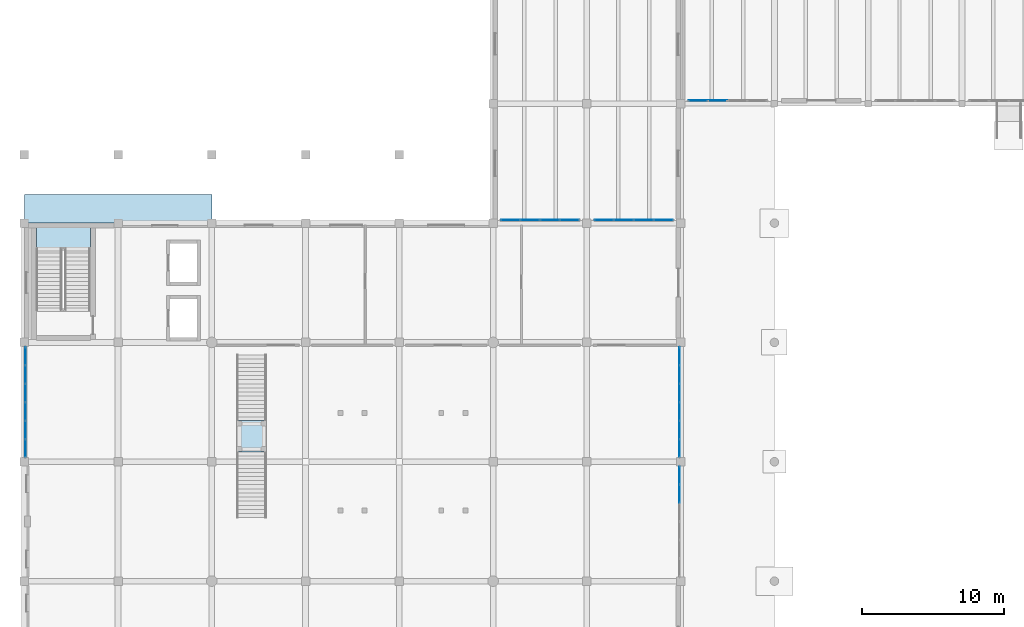
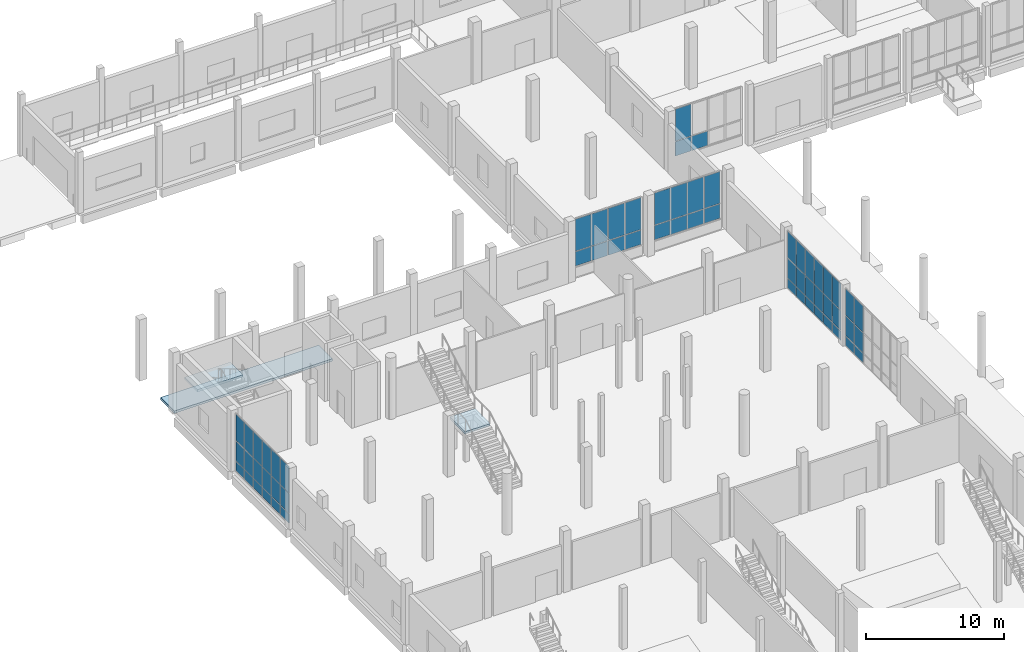
# One storey, part 30 of 64: 61 plates, 3 slabs, 8 elements without a shape of their own.
"""IFC4 building model written with IfcOpenShell, lengths in metres."""

from ifc_helpers import new_model, si_unit, direction, frame, origin, origin_2d, place, context, subcontext, project, spatial, polyline, rectangle, outline, extrude, material, layer, layer_set, type_object, element, aggregate, save


model = new_model("IFC4")

# Units and contexts
model_context = context("Model", 3, precision=1e-05, world=origin(), true_north=direction((0.0, 1.0)))
body_context = subcontext(model_context, "Body", "Model", "MODEL_VIEW")
ifc_project = project(units=[si_unit("LENGTHUNIT", "METRE"), si_unit("AREAUNIT", "SQUARE_METRE"), si_unit("VOLUMEUNIT", "CUBIC_METRE"), si_unit("PLANEANGLEUNIT", "RADIAN"), si_unit("MASSUNIT", "GRAM", prefix="KILO")], contexts=[model_context])

# Site, building, storey
site_placement = place(None, origin())
site = spatial("IfcSite", under=ifc_project, at=site_placement, CompositionType="ELEMENT")
building_placement = place(site_placement, origin())
building = spatial("IfcBuilding", under=site, at=building_placement, Name="Qaldarim Faculty of Natural and Applied Sciences", CompositionType="ELEMENT")
storey_placement = place(building_placement, origin())
storey = spatial("IfcBuildingStorey", under=building, at=storey_placement, Name="L00", CompositionType="ELEMENT", Elevation=0.0)

# Slab
ifc_material_1 = material(Name="Concrete C40/50", Category="concrete")
ifc_layer_1 = layer(ifc_material_1, 0.199951171875)
ifc_layer_set_1 = layer_set([ifc_layer_1], Name="Concrete C40/50")
slab_type_1 = type_object("IfcSlabType", Name="ColonnadeDeckSlab-200", PredefinedType="FLOOR", material=ifc_layer_set_1)
slab_1_placement = place(storey_placement, frame((0.0, 0.0, -0.199951171875)))
element("IfcSlab", 1, at=slab_1_placement, inside=storey, type_object=slab_type_1, Name="Core D north exit walkway L00", PredefinedType="FLOOR", context=body_context, shape_type="SweptSolid", body=[
    extrude(outline(polyline([(0.0, 86.0), (13.199951171875, 86.0), (13.199951171875, 84.0), (0.0, 84.0), (0.0, 86.0)])), origin(), (0.0, 0.0, 1.0), 0.199951171875),
])

# Stair, slab
stair_type_1 = type_object("IfcStairType", Name="DoglegStair-W1800-H5400-32R", PredefinedType="HALF_TURN_STAIR", material=ifc_material_1)
stair_1_placement = place(storey_placement, origin())
stair_1 = element("IfcStair", 2, at=stair_1_placement, inside=storey, type_object=stair_type_1, Name="Enclosed exit stair ST-D2 L00", PredefinedType="HALF_TURN_STAIR")
ifc_layer_2 = layer(ifc_material_1, 0.2099609375)
ifc_layer_set_2 = layer_set([ifc_layer_2], Name="Concrete C40/50")
slab_type_2 = type_object("IfcSlabType", Name="StairLandingSlab-210", PredefinedType="LANDING", material=ifc_layer_set_2)
slab_2_placement = place(storey_placement, frame((0.0, 0.0, 2.489990234375)))
slab_2 = element("IfcSlab", 3, at=slab_2_placement, type_object=slab_type_2, Name="ST-D2 L00 half-landing 1", PredefinedType="LANDING", context=body_context, shape_type="SweptSolid", body=[
    extrude(outline(polyline([(4.64990234375, 82.159912109375), (4.64990234375, 84.0), (0.85009765625, 84.0), (0.85009765625, 82.159912109375), (4.64990234375, 82.159912109375)])), origin(), (0.0, 0.0, 1.0), 0.2099609375),
])
aggregate(stair_1, [slab_2])

stair_type_2 = type_object("IfcStairType", Name="FeatureStraightStair-W2100-H5400", PredefinedType="STRAIGHT_RUN_STAIR", material=ifc_material_1)
stair_2_placement = place(storey_placement, origin())
stair_2 = element("IfcStair", 4, at=stair_2_placement, inside=storey, type_object=stair_type_2, Name="Atrium monumental stair L00", PredefinedType="STRAIGHT_RUN_STAIR")
slab_3_placement = place(storey_placement, frame((0.0, 0.0, 2.489990234375)))
slab_3 = element("IfcSlab", 5, at=slab_3_placement, type_object=slab_type_2, Name="Atrium monumental stair L00 intermediate landing", PredefinedType="LANDING", context=body_context, shape_type="SweptSolid", body=[
    extrude(outline(polyline([(14.949951171875, 67.889892578125), (17.050048828125, 67.889892578125), (17.050048828125, 70.090087890625), (14.949951171875, 70.090087890625), (14.949951171875, 67.889892578125)])), origin(), (0.0, 0.0, 1.0), 0.2099609375),
])
aggregate(stair_2, [slab_3])

# Curtain wall, plates
ifc_material_2 = material(Name="Anodised aluminium AW-6063", Category="aluminium")
curtain_wall_type_1 = type_object("IfcCurtainWallType", Name="CurtainWallSystem-M1300", PredefinedType="USERDEFINED", material=ifc_material_2)
curtain_wall_1_placement = place(storey_placement, origin())
curtain_wall_1 = element("IfcCurtainWall", 6, at=curtain_wall_1_placement, inside=storey, type_object=curtain_wall_type_1, Name="Curtain wall CW-L00-W-X01Y09", ObjectType="STICK CURTAIN WALL", PredefinedType="USERDEFINED")
ifc_material_3 = material(Name="Insulated low-e double glazing", Category="glass")
ifc_layer_3 = layer(ifc_material_3, 0.028076171875)
ifc_layer_set_3 = layer_set([ifc_layer_3], Name="Insulated low-e double glazing")
plate_type = type_object("IfcPlateType", Name="VisionGlazingPanel-28", PredefinedType="CURTAIN_PANEL", material=ifc_layer_set_3)
plate_1_placement = place(storey_placement, frame((0.080078125, 74.63916015625, 0.06005859375), z_axis=(0.0, 0.0, 1.0), x_axis=(0.0, -1.0, 0.0)))
plate_1 = element("IfcPlate", 7, at=plate_1_placement, type_object=plate_type, Name="Glazed panel 1-1 of CW-L00-W-X01Y09", PredefinedType="CURTAIN_PANEL", context=body_context, shape_type="SweptSolid", body=[
    extrude(rectangle(XDim=1.211669921875, YDim=0.028076171875, at=origin_2d()), origin(), (0.0, 0.0, 1.0), 0.81005859375),
])
plate_2_placement = place(storey_placement, frame((0.080078125, 74.63916015625, 0.93017578125), z_axis=(0.0, 0.0, 1.0), x_axis=(0.0, -1.0, 0.0)))
plate_2 = element("IfcPlate", 8, at=plate_2_placement, type_object=plate_type, Name="Glazed panel 1-2 of CW-L00-W-X01Y09", PredefinedType="CURTAIN_PANEL", context=body_context, shape_type="SweptSolid", body=[
    extrude(rectangle(XDim=1.211669921875, YDim=0.028076171875, at=origin_2d()), origin(), (0.0, 0.0, 1.0), 1.739990234375),
])
plate_3_placement = place(storey_placement, frame((0.080078125, 74.63916015625, 2.72998046875), z_axis=(0.0, 0.0, 1.0), x_axis=(0.0, -1.0, 0.0)))
plate_3 = element("IfcPlate", 9, at=plate_3_placement, type_object=plate_type, Name="Glazed panel 1-3 of CW-L00-W-X01Y09", PredefinedType="CURTAIN_PANEL", context=body_context, shape_type="SweptSolid", body=[
    extrude(rectangle(XDim=1.211669921875, YDim=0.028076171875, at=origin_2d()), origin(), (0.0, 0.0, 1.0), 2.31005859375),
])
plate_4_placement = place(storey_placement, frame((0.080078125, 73.3525390625, 0.06005859375), z_axis=(0.0, 0.0, 1.0), x_axis=(0.0, -1.0, 0.0)))
plate_4 = element("IfcPlate", 10, at=plate_4_placement, type_object=plate_type, Name="Glazed panel 2-1 of CW-L00-W-X01Y09", PredefinedType="CURTAIN_PANEL", context=body_context, shape_type="SweptSolid", body=[
    extrude(rectangle(XDim=1.24169921875, YDim=0.028076171875, at=origin_2d()), origin(), (0.0, 0.0, 1.0), 0.81005859375),
])
plate_5_placement = place(storey_placement, frame((0.080078125, 73.3525390625, 0.93017578125), z_axis=(0.0, 0.0, 1.0), x_axis=(0.0, -1.0, 0.0)))
plate_5 = element("IfcPlate", 11, at=plate_5_placement, type_object=plate_type, Name="Glazed panel 2-2 of CW-L00-W-X01Y09", PredefinedType="CURTAIN_PANEL", context=body_context, shape_type="SweptSolid", body=[
    extrude(rectangle(XDim=1.24169921875, YDim=0.028076171875, at=origin_2d()), origin(), (0.0, 0.0, 1.0), 1.739990234375),
])
plate_6_placement = place(storey_placement, frame((0.080078125, 73.3525390625, 2.72998046875), z_axis=(0.0, 0.0, 1.0), x_axis=(0.0, -1.0, 0.0)))
plate_6 = element("IfcPlate", 12, at=plate_6_placement, type_object=plate_type, Name="Glazed panel 2-3 of CW-L00-W-X01Y09", PredefinedType="CURTAIN_PANEL", context=body_context, shape_type="SweptSolid", body=[
    extrude(rectangle(XDim=1.24169921875, YDim=0.028076171875, at=origin_2d()), origin(), (0.0, 0.0, 1.0), 2.31005859375),
])
plate_7_placement = place(storey_placement, frame((0.080078125, 72.05078125, 0.06005859375), z_axis=(0.0, 0.0, 1.0), x_axis=(0.0, -1.0, 0.0)))
plate_7 = element("IfcPlate", 13, at=plate_7_placement, type_object=plate_type, Name="Glazed panel 3-1 of CW-L00-W-X01Y09", PredefinedType="CURTAIN_PANEL", context=body_context, shape_type="SweptSolid", body=[
    extrude(rectangle(XDim=1.24169921875, YDim=0.028076171875, at=origin_2d()), origin(), (0.0, 0.0, 1.0), 0.81005859375),
])
plate_8_placement = place(storey_placement, frame((0.080078125, 72.05078125, 0.93017578125), z_axis=(0.0, 0.0, 1.0), x_axis=(0.0, -1.0, 0.0)))
plate_8 = element("IfcPlate", 14, at=plate_8_placement, type_object=plate_type, Name="Glazed panel 3-2 of CW-L00-W-X01Y09", PredefinedType="CURTAIN_PANEL", context=body_context, shape_type="SweptSolid", body=[
    extrude(rectangle(XDim=1.24169921875, YDim=0.028076171875, at=origin_2d()), origin(), (0.0, 0.0, 1.0), 1.739990234375),
])
plate_9_placement = place(storey_placement, frame((0.080078125, 72.05078125, 2.72998046875), z_axis=(0.0, 0.0, 1.0), x_axis=(0.0, -1.0, 0.0)))
plate_9 = element("IfcPlate", 15, at=plate_9_placement, type_object=plate_type, Name="Glazed panel 3-3 of CW-L00-W-X01Y09", PredefinedType="CURTAIN_PANEL", context=body_context, shape_type="SweptSolid", body=[
    extrude(rectangle(XDim=1.24169921875, YDim=0.028076171875, at=origin_2d()), origin(), (0.0, 0.0, 1.0), 2.31005859375),
])
plate_10_placement = place(storey_placement, frame((0.080078125, 70.749267578125, 0.06005859375), z_axis=(0.0, 0.0, 1.0), x_axis=(0.0, -1.0, 0.0)))
plate_10 = element("IfcPlate", 16, at=plate_10_placement, type_object=plate_type, Name="Glazed panel 4-1 of CW-L00-W-X01Y09", PredefinedType="CURTAIN_PANEL", context=body_context, shape_type="SweptSolid", body=[
    extrude(rectangle(XDim=1.24169921875, YDim=0.028076171875, at=origin_2d()), origin(), (0.0, 0.0, 1.0), 0.81005859375),
])
plate_11_placement = place(storey_placement, frame((0.080078125, 70.749267578125, 0.93017578125), z_axis=(0.0, 0.0, 1.0), x_axis=(0.0, -1.0, 0.0)))
plate_11 = element("IfcPlate", 17, at=plate_11_placement, type_object=plate_type, Name="Glazed panel 4-2 of CW-L00-W-X01Y09", PredefinedType="CURTAIN_PANEL", context=body_context, shape_type="SweptSolid", body=[
    extrude(rectangle(XDim=1.24169921875, YDim=0.028076171875, at=origin_2d()), origin(), (0.0, 0.0, 1.0), 1.739990234375),
])
plate_12_placement = place(storey_placement, frame((0.080078125, 70.749267578125, 2.72998046875), z_axis=(0.0, 0.0, 1.0), x_axis=(0.0, -1.0, 0.0)))
plate_12 = element("IfcPlate", 18, at=plate_12_placement, type_object=plate_type, Name="Glazed panel 4-3 of CW-L00-W-X01Y09", PredefinedType="CURTAIN_PANEL", context=body_context, shape_type="SweptSolid", body=[
    extrude(rectangle(XDim=1.24169921875, YDim=0.028076171875, at=origin_2d()), origin(), (0.0, 0.0, 1.0), 2.31005859375),
])
plate_13_placement = place(storey_placement, frame((0.080078125, 69.447509765625, 0.06005859375), z_axis=(0.0, 0.0, 1.0), x_axis=(0.0, -1.0, 0.0)))
plate_13 = element("IfcPlate", 19, at=plate_13_placement, type_object=plate_type, Name="Glazed panel 5-1 of CW-L00-W-X01Y09", PredefinedType="CURTAIN_PANEL", context=body_context, shape_type="SweptSolid", body=[
    extrude(rectangle(XDim=1.24169921875, YDim=0.028076171875, at=origin_2d()), origin(), (0.0, 0.0, 1.0), 0.81005859375),
])
plate_14_placement = place(storey_placement, frame((0.080078125, 69.447509765625, 0.93017578125), z_axis=(0.0, 0.0, 1.0), x_axis=(0.0, -1.0, 0.0)))
plate_14 = element("IfcPlate", 20, at=plate_14_placement, type_object=plate_type, Name="Glazed panel 5-2 of CW-L00-W-X01Y09", PredefinedType="CURTAIN_PANEL", context=body_context, shape_type="SweptSolid", body=[
    extrude(rectangle(XDim=1.24169921875, YDim=0.028076171875, at=origin_2d()), origin(), (0.0, 0.0, 1.0), 1.739990234375),
])
plate_15_placement = place(storey_placement, frame((0.080078125, 69.447509765625, 2.72998046875), z_axis=(0.0, 0.0, 1.0), x_axis=(0.0, -1.0, 0.0)))
plate_15 = element("IfcPlate", 21, at=plate_15_placement, type_object=plate_type, Name="Glazed panel 5-3 of CW-L00-W-X01Y09", PredefinedType="CURTAIN_PANEL", context=body_context, shape_type="SweptSolid", body=[
    extrude(rectangle(XDim=1.24169921875, YDim=0.028076171875, at=origin_2d()), origin(), (0.0, 0.0, 1.0), 2.31005859375),
])
plate_16_placement = place(storey_placement, frame((0.080078125, 68.160888671875, 0.06005859375), z_axis=(0.0, 0.0, 1.0), x_axis=(0.0, -1.0, 0.0)))
plate_16 = element("IfcPlate", 22, at=plate_16_placement, type_object=plate_type, Name="Glazed panel 6-1 of CW-L00-W-X01Y09", PredefinedType="CURTAIN_PANEL", context=body_context, shape_type="SweptSolid", body=[
    extrude(rectangle(XDim=1.211669921875, YDim=0.028076171875, at=origin_2d()), origin(), (0.0, 0.0, 1.0), 0.81005859375),
])
plate_17_placement = place(storey_placement, frame((0.080078125, 68.160888671875, 0.93017578125), z_axis=(0.0, 0.0, 1.0), x_axis=(0.0, -1.0, 0.0)))
plate_17 = element("IfcPlate", 23, at=plate_17_placement, type_object=plate_type, Name="Glazed panel 6-2 of CW-L00-W-X01Y09", PredefinedType="CURTAIN_PANEL", context=body_context, shape_type="SweptSolid", body=[
    extrude(rectangle(XDim=1.211669921875, YDim=0.028076171875, at=origin_2d()), origin(), (0.0, 0.0, 1.0), 1.739990234375),
])
plate_18_placement = place(storey_placement, frame((0.080078125, 68.160888671875, 2.72998046875), z_axis=(0.0, 0.0, 1.0), x_axis=(0.0, -1.0, 0.0)))
plate_18 = element("IfcPlate", 24, at=plate_18_placement, type_object=plate_type, Name="Glazed panel 6-3 of CW-L00-W-X01Y09", PredefinedType="CURTAIN_PANEL", context=body_context, shape_type="SweptSolid", body=[
    extrude(rectangle(XDim=1.211669921875, YDim=0.028076171875, at=origin_2d()), origin(), (0.0, 0.0, 1.0), 2.31005859375),
])
aggregate(curtain_wall_1, [plate_1, plate_2, plate_3, plate_4, plate_5, plate_6, plate_7, plate_8, plate_9, plate_10, plate_11, plate_12, plate_13, plate_14, plate_15, plate_16, plate_17, plate_18])

curtain_wall_2_placement = place(storey_placement, origin())
curtain_wall_2 = element("IfcCurtainWall", 25, at=curtain_wall_2_placement, inside=storey, type_object=curtain_wall_type_1, Name="Curtain wall CW-L00-E-X07Y08", ObjectType="STICK CURTAIN WALL", PredefinedType="USERDEFINED")
plate_19_placement = place(storey_placement, frame((46.1201171875, 64.952392578125, 0.06005859375), z_axis=(0.0, 0.0, 1.0), x_axis=(0.0, 1.0, 0.0)))
plate_19 = element("IfcPlate", 26, at=plate_19_placement, type_object=plate_type, Name="Glazed panel 5-1 of CW-L00-E-X07Y08", PredefinedType="CURTAIN_PANEL", context=body_context, shape_type="SweptSolid", body=[
    extrude(rectangle(XDim=1.24169921875, YDim=0.028076171875, at=origin_2d()), origin(), (0.0, 0.0, 1.0), 0.81005859375),
])
plate_20_placement = place(storey_placement, frame((46.1201171875, 64.952392578125, 0.93017578125), z_axis=(0.0, 0.0, 1.0), x_axis=(0.0, 1.0, 0.0)))
plate_20 = element("IfcPlate", 27, at=plate_20_placement, type_object=plate_type, Name="Glazed panel 5-2 of CW-L00-E-X07Y08", PredefinedType="CURTAIN_PANEL", context=body_context, shape_type="SweptSolid", body=[
    extrude(rectangle(XDim=1.24169921875, YDim=0.028076171875, at=origin_2d()), origin(), (0.0, 0.0, 1.0), 1.739990234375),
])
plate_21_placement = place(storey_placement, frame((46.1201171875, 64.952392578125, 2.72998046875), z_axis=(0.0, 0.0, 1.0), x_axis=(0.0, 1.0, 0.0)))
plate_21 = element("IfcPlate", 28, at=plate_21_placement, type_object=plate_type, Name="Glazed panel 5-3 of CW-L00-E-X07Y08", PredefinedType="CURTAIN_PANEL", context=body_context, shape_type="SweptSolid", body=[
    extrude(rectangle(XDim=1.24169921875, YDim=0.028076171875, at=origin_2d()), origin(), (0.0, 0.0, 1.0), 2.31005859375),
])
plate_22_placement = place(storey_placement, frame((46.1201171875, 66.2392578125, 0.06005859375), z_axis=(0.0, 0.0, 1.0), x_axis=(0.0, 1.0, 0.0)))
plate_22 = element("IfcPlate", 29, at=plate_22_placement, type_object=plate_type, Name="Glazed panel 6-1 of CW-L00-E-X07Y08", PredefinedType="CURTAIN_PANEL", context=body_context, shape_type="SweptSolid", body=[
    extrude(rectangle(XDim=1.211669921875, YDim=0.028076171875, at=origin_2d()), origin(), (0.0, 0.0, 1.0), 0.81005859375),
])
plate_23_placement = place(storey_placement, frame((46.1201171875, 66.2392578125, 0.93017578125), z_axis=(0.0, 0.0, 1.0), x_axis=(0.0, 1.0, 0.0)))
plate_23 = element("IfcPlate", 30, at=plate_23_placement, type_object=plate_type, Name="Glazed panel 6-2 of CW-L00-E-X07Y08", PredefinedType="CURTAIN_PANEL", context=body_context, shape_type="SweptSolid", body=[
    extrude(rectangle(XDim=1.211669921875, YDim=0.028076171875, at=origin_2d()), origin(), (0.0, 0.0, 1.0), 1.739990234375),
])
plate_24_placement = place(storey_placement, frame((46.1201171875, 66.2392578125, 2.72998046875), z_axis=(0.0, 0.0, 1.0), x_axis=(0.0, 1.0, 0.0)))
plate_24 = element("IfcPlate", 31, at=plate_24_placement, type_object=plate_type, Name="Glazed panel 6-3 of CW-L00-E-X07Y08", PredefinedType="CURTAIN_PANEL", context=body_context, shape_type="SweptSolid", body=[
    extrude(rectangle(XDim=1.211669921875, YDim=0.028076171875, at=origin_2d()), origin(), (0.0, 0.0, 1.0), 2.31005859375),
])
aggregate(curtain_wall_2, [plate_19, plate_20, plate_21, plate_22, plate_23, plate_24])

curtain_wall_3_placement = place(storey_placement, origin())
curtain_wall_3 = element("IfcCurtainWall", 32, at=curtain_wall_3_placement, inside=storey, type_object=curtain_wall_type_1, Name="Curtain wall CW-L00-E-X07Y09", ObjectType="STICK CURTAIN WALL", PredefinedType="USERDEFINED")
plate_25_placement = place(storey_placement, frame((46.1201171875, 68.160888671875, 0.06005859375), z_axis=(0.0, 0.0, 1.0), x_axis=(0.0, 1.0, 0.0)))
plate_25 = element("IfcPlate", 33, at=plate_25_placement, type_object=plate_type, Name="Glazed panel 1-1 of CW-L00-E-X07Y09", PredefinedType="CURTAIN_PANEL", context=body_context, shape_type="SweptSolid", body=[
    extrude(rectangle(XDim=1.211669921875, YDim=0.028076171875, at=origin_2d()), origin(), (0.0, 0.0, 1.0), 0.81005859375),
])
plate_26_placement = place(storey_placement, frame((46.1201171875, 68.160888671875, 0.93017578125), z_axis=(0.0, 0.0, 1.0), x_axis=(0.0, 1.0, 0.0)))
plate_26 = element("IfcPlate", 34, at=plate_26_placement, type_object=plate_type, Name="Glazed panel 1-2 of CW-L00-E-X07Y09", PredefinedType="CURTAIN_PANEL", context=body_context, shape_type="SweptSolid", body=[
    extrude(rectangle(XDim=1.211669921875, YDim=0.028076171875, at=origin_2d()), origin(), (0.0, 0.0, 1.0), 1.739990234375),
])
plate_27_placement = place(storey_placement, frame((46.1201171875, 68.160888671875, 2.72998046875), z_axis=(0.0, 0.0, 1.0), x_axis=(0.0, 1.0, 0.0)))
plate_27 = element("IfcPlate", 35, at=plate_27_placement, type_object=plate_type, Name="Glazed panel 1-3 of CW-L00-E-X07Y09", PredefinedType="CURTAIN_PANEL", context=body_context, shape_type="SweptSolid", body=[
    extrude(rectangle(XDim=1.211669921875, YDim=0.028076171875, at=origin_2d()), origin(), (0.0, 0.0, 1.0), 2.31005859375),
])
plate_28_placement = place(storey_placement, frame((46.1201171875, 69.447509765625, 0.06005859375), z_axis=(0.0, 0.0, 1.0), x_axis=(0.0, 1.0, 0.0)))
plate_28 = element("IfcPlate", 36, at=plate_28_placement, type_object=plate_type, Name="Glazed panel 2-1 of CW-L00-E-X07Y09", PredefinedType="CURTAIN_PANEL", context=body_context, shape_type="SweptSolid", body=[
    extrude(rectangle(XDim=1.24169921875, YDim=0.028076171875, at=origin_2d()), origin(), (0.0, 0.0, 1.0), 0.81005859375),
])
plate_29_placement = place(storey_placement, frame((46.1201171875, 69.447509765625, 0.93017578125), z_axis=(0.0, 0.0, 1.0), x_axis=(0.0, 1.0, 0.0)))
plate_29 = element("IfcPlate", 37, at=plate_29_placement, type_object=plate_type, Name="Glazed panel 2-2 of CW-L00-E-X07Y09", PredefinedType="CURTAIN_PANEL", context=body_context, shape_type="SweptSolid", body=[
    extrude(rectangle(XDim=1.24169921875, YDim=0.028076171875, at=origin_2d()), origin(), (0.0, 0.0, 1.0), 1.739990234375),
])
plate_30_placement = place(storey_placement, frame((46.1201171875, 69.447509765625, 2.72998046875), z_axis=(0.0, 0.0, 1.0), x_axis=(0.0, 1.0, 0.0)))
plate_30 = element("IfcPlate", 38, at=plate_30_placement, type_object=plate_type, Name="Glazed panel 2-3 of CW-L00-E-X07Y09", PredefinedType="CURTAIN_PANEL", context=body_context, shape_type="SweptSolid", body=[
    extrude(rectangle(XDim=1.24169921875, YDim=0.028076171875, at=origin_2d()), origin(), (0.0, 0.0, 1.0), 2.31005859375),
])
plate_31_placement = place(storey_placement, frame((46.1201171875, 70.749267578125, 0.06005859375), z_axis=(0.0, 0.0, 1.0), x_axis=(0.0, 1.0, 0.0)))
plate_31 = element("IfcPlate", 39, at=plate_31_placement, type_object=plate_type, Name="Glazed panel 3-1 of CW-L00-E-X07Y09", PredefinedType="CURTAIN_PANEL", context=body_context, shape_type="SweptSolid", body=[
    extrude(rectangle(XDim=1.24169921875, YDim=0.028076171875, at=origin_2d()), origin(), (0.0, 0.0, 1.0), 0.81005859375),
])
plate_32_placement = place(storey_placement, frame((46.1201171875, 70.749267578125, 0.93017578125), z_axis=(0.0, 0.0, 1.0), x_axis=(0.0, 1.0, 0.0)))
plate_32 = element("IfcPlate", 40, at=plate_32_placement, type_object=plate_type, Name="Glazed panel 3-2 of CW-L00-E-X07Y09", PredefinedType="CURTAIN_PANEL", context=body_context, shape_type="SweptSolid", body=[
    extrude(rectangle(XDim=1.24169921875, YDim=0.028076171875, at=origin_2d()), origin(), (0.0, 0.0, 1.0), 1.739990234375),
])
plate_33_placement = place(storey_placement, frame((46.1201171875, 70.749267578125, 2.72998046875), z_axis=(0.0, 0.0, 1.0), x_axis=(0.0, 1.0, 0.0)))
plate_33 = element("IfcPlate", 41, at=plate_33_placement, type_object=plate_type, Name="Glazed panel 3-3 of CW-L00-E-X07Y09", PredefinedType="CURTAIN_PANEL", context=body_context, shape_type="SweptSolid", body=[
    extrude(rectangle(XDim=1.24169921875, YDim=0.028076171875, at=origin_2d()), origin(), (0.0, 0.0, 1.0), 2.31005859375),
])
plate_34_placement = place(storey_placement, frame((46.1201171875, 72.05078125, 0.06005859375), z_axis=(0.0, 0.0, 1.0), x_axis=(0.0, 1.0, 0.0)))
plate_34 = element("IfcPlate", 42, at=plate_34_placement, type_object=plate_type, Name="Glazed panel 4-1 of CW-L00-E-X07Y09", PredefinedType="CURTAIN_PANEL", context=body_context, shape_type="SweptSolid", body=[
    extrude(rectangle(XDim=1.24169921875, YDim=0.028076171875, at=origin_2d()), origin(), (0.0, 0.0, 1.0), 0.81005859375),
])
plate_35_placement = place(storey_placement, frame((46.1201171875, 72.05078125, 0.93017578125), z_axis=(0.0, 0.0, 1.0), x_axis=(0.0, 1.0, 0.0)))
plate_35 = element("IfcPlate", 43, at=plate_35_placement, type_object=plate_type, Name="Glazed panel 4-2 of CW-L00-E-X07Y09", PredefinedType="CURTAIN_PANEL", context=body_context, shape_type="SweptSolid", body=[
    extrude(rectangle(XDim=1.24169921875, YDim=0.028076171875, at=origin_2d()), origin(), (0.0, 0.0, 1.0), 1.739990234375),
])
plate_36_placement = place(storey_placement, frame((46.1201171875, 72.05078125, 2.72998046875), z_axis=(0.0, 0.0, 1.0), x_axis=(0.0, 1.0, 0.0)))
plate_36 = element("IfcPlate", 44, at=plate_36_placement, type_object=plate_type, Name="Glazed panel 4-3 of CW-L00-E-X07Y09", PredefinedType="CURTAIN_PANEL", context=body_context, shape_type="SweptSolid", body=[
    extrude(rectangle(XDim=1.24169921875, YDim=0.028076171875, at=origin_2d()), origin(), (0.0, 0.0, 1.0), 2.31005859375),
])
plate_37_placement = place(storey_placement, frame((46.1201171875, 73.3525390625, 0.06005859375), z_axis=(0.0, 0.0, 1.0), x_axis=(0.0, 1.0, 0.0)))
plate_37 = element("IfcPlate", 45, at=plate_37_placement, type_object=plate_type, Name="Glazed panel 5-1 of CW-L00-E-X07Y09", PredefinedType="CURTAIN_PANEL", context=body_context, shape_type="SweptSolid", body=[
    extrude(rectangle(XDim=1.24169921875, YDim=0.028076171875, at=origin_2d()), origin(), (0.0, 0.0, 1.0), 0.81005859375),
])
plate_38_placement = place(storey_placement, frame((46.1201171875, 73.3525390625, 0.93017578125), z_axis=(0.0, 0.0, 1.0), x_axis=(0.0, 1.0, 0.0)))
plate_38 = element("IfcPlate", 46, at=plate_38_placement, type_object=plate_type, Name="Glazed panel 5-2 of CW-L00-E-X07Y09", PredefinedType="CURTAIN_PANEL", context=body_context, shape_type="SweptSolid", body=[
    extrude(rectangle(XDim=1.24169921875, YDim=0.028076171875, at=origin_2d()), origin(), (0.0, 0.0, 1.0), 1.739990234375),
])
plate_39_placement = place(storey_placement, frame((46.1201171875, 73.3525390625, 2.72998046875), z_axis=(0.0, 0.0, 1.0), x_axis=(0.0, 1.0, 0.0)))
plate_39 = element("IfcPlate", 47, at=plate_39_placement, type_object=plate_type, Name="Glazed panel 5-3 of CW-L00-E-X07Y09", PredefinedType="CURTAIN_PANEL", context=body_context, shape_type="SweptSolid", body=[
    extrude(rectangle(XDim=1.24169921875, YDim=0.028076171875, at=origin_2d()), origin(), (0.0, 0.0, 1.0), 2.31005859375),
])
plate_40_placement = place(storey_placement, frame((46.1201171875, 74.63916015625, 0.06005859375), z_axis=(0.0, 0.0, 1.0), x_axis=(0.0, 1.0, 0.0)))
plate_40 = element("IfcPlate", 48, at=plate_40_placement, type_object=plate_type, Name="Glazed panel 6-1 of CW-L00-E-X07Y09", PredefinedType="CURTAIN_PANEL", context=body_context, shape_type="SweptSolid", body=[
    extrude(rectangle(XDim=1.211669921875, YDim=0.028076171875, at=origin_2d()), origin(), (0.0, 0.0, 1.0), 0.81005859375),
])
plate_41_placement = place(storey_placement, frame((46.1201171875, 74.63916015625, 0.93017578125), z_axis=(0.0, 0.0, 1.0), x_axis=(0.0, 1.0, 0.0)))
plate_41 = element("IfcPlate", 49, at=plate_41_placement, type_object=plate_type, Name="Glazed panel 6-2 of CW-L00-E-X07Y09", PredefinedType="CURTAIN_PANEL", context=body_context, shape_type="SweptSolid", body=[
    extrude(rectangle(XDim=1.211669921875, YDim=0.028076171875, at=origin_2d()), origin(), (0.0, 0.0, 1.0), 1.739990234375),
])
plate_42_placement = place(storey_placement, frame((46.1201171875, 74.63916015625, 2.72998046875), z_axis=(0.0, 0.0, 1.0), x_axis=(0.0, 1.0, 0.0)))
plate_42 = element("IfcPlate", 50, at=plate_42_placement, type_object=plate_type, Name="Glazed panel 6-3 of CW-L00-E-X07Y09", PredefinedType="CURTAIN_PANEL", context=body_context, shape_type="SweptSolid", body=[
    extrude(rectangle(XDim=1.211669921875, YDim=0.028076171875, at=origin_2d()), origin(), (0.0, 0.0, 1.0), 2.31005859375),
])
aggregate(curtain_wall_3, [plate_25, plate_26, plate_27, plate_28, plate_29, plate_30, plate_31, plate_32, plate_33, plate_34, plate_35, plate_36, plate_37, plate_38, plate_39, plate_40, plate_41, plate_42])

curtain_wall_type_2 = type_object("IfcCurtainWallType", Name="CurtainWallSystem-M1400", PredefinedType="USERDEFINED", material=ifc_material_2)
curtain_wall_4_placement = place(storey_placement, origin())
curtain_wall_4 = element("IfcCurtainWall", 51, at=curtain_wall_4_placement, inside=storey, type_object=curtain_wall_type_2, Name="Curtain wall CW-V4RIB-L00-X06", ObjectType="STICK CURTAIN WALL", PredefinedType="USERDEFINED")
plate_43_placement = place(storey_placement, frame((34.215087890625, 84.219970703125, 0.91015625), z_axis=(0.0, 0.0, 1.0), x_axis=(1.0, 0.0, 0.0)))
plate_43 = element("IfcPlate", 52, at=plate_43_placement, type_object=plate_type, Name="Glazed panel 1-1 of CW-V4RIB-L00-X06", PredefinedType="CURTAIN_PANEL", context=body_context, shape_type="SweptSolid", body=[
    extrude(rectangle(XDim=1.31005859375, YDim=0.028076171875, at=origin_2d()), origin(), (0.0, 0.0, 1.0), 1.260009765625),
])
plate_44_placement = place(storey_placement, frame((34.215087890625, 84.219970703125, 2.22998046875), z_axis=(0.0, 0.0, 1.0), x_axis=(1.0, 0.0, 0.0)))
plate_44 = element("IfcPlate", 53, at=plate_44_placement, type_object=plate_type, Name="Glazed panel 1-2 of CW-V4RIB-L00-X06", PredefinedType="CURTAIN_PANEL", context=body_context, shape_type="SweptSolid", body=[
    extrude(rectangle(XDim=1.31005859375, YDim=0.028076171875, at=origin_2d()), origin(), (0.0, 0.0, 1.0), 2.81005859375),
])
plate_45_placement = place(storey_placement, frame((35.60009765625, 84.219970703125, 0.91015625), z_axis=(0.0, 0.0, 1.0), x_axis=(1.0, 0.0, 0.0)))
plate_45 = element("IfcPlate", 54, at=plate_45_placement, type_object=plate_type, Name="Glazed panel 2-1 of CW-V4RIB-L00-X06", PredefinedType="CURTAIN_PANEL", context=body_context, shape_type="SweptSolid", body=[
    extrude(rectangle(XDim=1.340087890625, YDim=0.028076171875, at=origin_2d()), origin(), (0.0, 0.0, 1.0), 1.260009765625),
])
plate_46_placement = place(storey_placement, frame((35.60009765625, 84.219970703125, 2.22998046875), z_axis=(0.0, 0.0, 1.0), x_axis=(1.0, 0.0, 0.0)))
plate_46 = element("IfcPlate", 55, at=plate_46_placement, type_object=plate_type, Name="Glazed panel 2-2 of CW-V4RIB-L00-X06", PredefinedType="CURTAIN_PANEL", context=body_context, shape_type="SweptSolid", body=[
    extrude(rectangle(XDim=1.340087890625, YDim=0.028076171875, at=origin_2d()), origin(), (0.0, 0.0, 1.0), 2.81005859375),
])
plate_47_placement = place(storey_placement, frame((37.0, 84.219970703125, 0.91015625), z_axis=(0.0, 0.0, 1.0), x_axis=(1.0, 0.0, 0.0)))
plate_47 = element("IfcPlate", 56, at=plate_47_placement, type_object=plate_type, Name="Glazed panel 3-1 of CW-V4RIB-L00-X06", PredefinedType="CURTAIN_PANEL", context=body_context, shape_type="SweptSolid", body=[
    extrude(rectangle(XDim=1.340087890625, YDim=0.028076171875, at=origin_2d()), origin(), (0.0, 0.0, 1.0), 1.260009765625),
])
plate_48_placement = place(storey_placement, frame((37.0, 84.219970703125, 2.22998046875), z_axis=(0.0, 0.0, 1.0), x_axis=(1.0, 0.0, 0.0)))
plate_48 = element("IfcPlate", 57, at=plate_48_placement, type_object=plate_type, Name="Glazed panel 3-2 of CW-V4RIB-L00-X06", PredefinedType="CURTAIN_PANEL", context=body_context, shape_type="SweptSolid", body=[
    extrude(rectangle(XDim=1.340087890625, YDim=0.028076171875, at=origin_2d()), origin(), (0.0, 0.0, 1.0), 2.81005859375),
])
plate_49_placement = place(storey_placement, frame((38.385009765625, 84.219970703125, 0.91015625), z_axis=(0.0, 0.0, 1.0), x_axis=(1.0, 0.0, 0.0)))
plate_49 = element("IfcPlate", 58, at=plate_49_placement, type_object=plate_type, Name="Glazed panel 4-1 of CW-V4RIB-L00-X06", PredefinedType="CURTAIN_PANEL", context=body_context, shape_type="SweptSolid", body=[
    extrude(rectangle(XDim=1.31005859375, YDim=0.028076171875, at=origin_2d()), origin(), (0.0, 0.0, 1.0), 1.260009765625),
])
plate_50_placement = place(storey_placement, frame((38.385009765625, 84.219970703125, 2.22998046875), z_axis=(0.0, 0.0, 1.0), x_axis=(1.0, 0.0, 0.0)))
plate_50 = element("IfcPlate", 59, at=plate_50_placement, type_object=plate_type, Name="Glazed panel 4-2 of CW-V4RIB-L00-X06", PredefinedType="CURTAIN_PANEL", context=body_context, shape_type="SweptSolid", body=[
    extrude(rectangle(XDim=1.31005859375, YDim=0.028076171875, at=origin_2d()), origin(), (0.0, 0.0, 1.0), 2.81005859375),
])
aggregate(curtain_wall_4, [plate_43, plate_44, plate_45, plate_46, plate_47, plate_48, plate_49, plate_50])

curtain_wall_5_placement = place(storey_placement, origin())
curtain_wall_5 = element("IfcCurtainWall", 60, at=curtain_wall_5_placement, inside=storey, type_object=curtain_wall_type_2, Name="Curtain wall CW-V4RIB-L00-X07", ObjectType="STICK CURTAIN WALL", PredefinedType="USERDEFINED")
plate_51_placement = place(storey_placement, frame((40.81494140625, 84.219970703125, 0.91015625), z_axis=(0.0, 0.0, 1.0), x_axis=(1.0, 0.0, 0.0)))
plate_51 = element("IfcPlate", 61, at=plate_51_placement, type_object=plate_type, Name="Glazed panel 1-1 of CW-V4RIB-L00-X07", PredefinedType="CURTAIN_PANEL", context=body_context, shape_type="SweptSolid", body=[
    extrude(rectangle(XDim=1.31005859375, YDim=0.028076171875, at=origin_2d()), origin(), (0.0, 0.0, 1.0), 1.260009765625),
])
plate_52_placement = place(storey_placement, frame((40.81494140625, 84.219970703125, 2.22998046875), z_axis=(0.0, 0.0, 1.0), x_axis=(1.0, 0.0, 0.0)))
plate_52 = element("IfcPlate", 62, at=plate_52_placement, type_object=plate_type, Name="Glazed panel 1-2 of CW-V4RIB-L00-X07", PredefinedType="CURTAIN_PANEL", context=body_context, shape_type="SweptSolid", body=[
    extrude(rectangle(XDim=1.31005859375, YDim=0.028076171875, at=origin_2d()), origin(), (0.0, 0.0, 1.0), 2.81005859375),
])
plate_53_placement = place(storey_placement, frame((42.199951171875, 84.219970703125, 0.91015625), z_axis=(0.0, 0.0, 1.0), x_axis=(1.0, 0.0, 0.0)))
plate_53 = element("IfcPlate", 63, at=plate_53_placement, type_object=plate_type, Name="Glazed panel 2-1 of CW-V4RIB-L00-X07", PredefinedType="CURTAIN_PANEL", context=body_context, shape_type="SweptSolid", body=[
    extrude(rectangle(XDim=1.340087890625, YDim=0.028076171875, at=origin_2d()), origin(), (0.0, 0.0, 1.0), 1.260009765625),
])
plate_54_placement = place(storey_placement, frame((42.199951171875, 84.219970703125, 2.22998046875), z_axis=(0.0, 0.0, 1.0), x_axis=(1.0, 0.0, 0.0)))
plate_54 = element("IfcPlate", 64, at=plate_54_placement, type_object=plate_type, Name="Glazed panel 2-2 of CW-V4RIB-L00-X07", PredefinedType="CURTAIN_PANEL", context=body_context, shape_type="SweptSolid", body=[
    extrude(rectangle(XDim=1.340087890625, YDim=0.028076171875, at=origin_2d()), origin(), (0.0, 0.0, 1.0), 2.81005859375),
])
plate_55_placement = place(storey_placement, frame((43.60009765625, 84.219970703125, 0.91015625), z_axis=(0.0, 0.0, 1.0), x_axis=(1.0, 0.0, 0.0)))
plate_55 = element("IfcPlate", 65, at=plate_55_placement, type_object=plate_type, Name="Glazed panel 3-1 of CW-V4RIB-L00-X07", PredefinedType="CURTAIN_PANEL", context=body_context, shape_type="SweptSolid", body=[
    extrude(rectangle(XDim=1.340087890625, YDim=0.028076171875, at=origin_2d()), origin(), (0.0, 0.0, 1.0), 1.260009765625),
])
plate_56_placement = place(storey_placement, frame((43.60009765625, 84.219970703125, 2.22998046875), z_axis=(0.0, 0.0, 1.0), x_axis=(1.0, 0.0, 0.0)))
plate_56 = element("IfcPlate", 66, at=plate_56_placement, type_object=plate_type, Name="Glazed panel 3-2 of CW-V4RIB-L00-X07", PredefinedType="CURTAIN_PANEL", context=body_context, shape_type="SweptSolid", body=[
    extrude(rectangle(XDim=1.340087890625, YDim=0.028076171875, at=origin_2d()), origin(), (0.0, 0.0, 1.0), 2.81005859375),
])
plate_57_placement = place(storey_placement, frame((44.985107421875, 84.219970703125, 0.91015625), z_axis=(0.0, 0.0, 1.0), x_axis=(1.0, 0.0, 0.0)))
plate_57 = element("IfcPlate", 67, at=plate_57_placement, type_object=plate_type, Name="Glazed panel 4-1 of CW-V4RIB-L00-X07", PredefinedType="CURTAIN_PANEL", context=body_context, shape_type="SweptSolid", body=[
    extrude(rectangle(XDim=1.31005859375, YDim=0.028076171875, at=origin_2d()), origin(), (0.0, 0.0, 1.0), 1.260009765625),
])
plate_58_placement = place(storey_placement, frame((44.985107421875, 84.219970703125, 2.22998046875), z_axis=(0.0, 0.0, 1.0), x_axis=(1.0, 0.0, 0.0)))
plate_58 = element("IfcPlate", 68, at=plate_58_placement, type_object=plate_type, Name="Glazed panel 4-2 of CW-V4RIB-L00-X07", PredefinedType="CURTAIN_PANEL", context=body_context, shape_type="SweptSolid", body=[
    extrude(rectangle(XDim=1.31005859375, YDim=0.028076171875, at=origin_2d()), origin(), (0.0, 0.0, 1.0), 2.81005859375),
])
aggregate(curtain_wall_5, [plate_51, plate_52, plate_53, plate_54, plate_55, plate_56, plate_57, plate_58])

curtain_wall_6_placement = place(storey_placement, origin())
curtain_wall_6 = element("IfcCurtainWall", 69, at=curtain_wall_6_placement, inside=storey, type_object=curtain_wall_type_2, Name="Curtain wall CW-V4RIB-L00-X08", ObjectType="STICK CURTAIN WALL", PredefinedType="USERDEFINED")
plate_59_placement = place(storey_placement, frame((47.4150390625, 92.6201171875, 0.91015625), z_axis=(0.0, 0.0, 1.0), x_axis=(1.0, 0.0, 0.0)))
plate_59 = element("IfcPlate", 70, at=plate_59_placement, type_object=plate_type, Name="Glazed panel 1-1 of CW-V4RIB-L00-X08", PredefinedType="CURTAIN_PANEL", context=body_context, shape_type="SweptSolid", body=[
    extrude(rectangle(XDim=1.31005859375, YDim=0.028076171875, at=origin_2d()), origin(), (0.0, 0.0, 1.0), 1.260009765625),
])
plate_60_placement = place(storey_placement, frame((47.4150390625, 92.6201171875, 2.22998046875), z_axis=(0.0, 0.0, 1.0), x_axis=(1.0, 0.0, 0.0)))
plate_60 = element("IfcPlate", 71, at=plate_60_placement, type_object=plate_type, Name="Glazed panel 1-2 of CW-V4RIB-L00-X08", PredefinedType="CURTAIN_PANEL", context=body_context, shape_type="SweptSolid", body=[
    extrude(rectangle(XDim=1.31005859375, YDim=0.028076171875, at=origin_2d()), origin(), (0.0, 0.0, 1.0), 2.81005859375),
])
plate_61_placement = place(storey_placement, frame((48.800048828125, 92.6201171875, 0.91015625), z_axis=(0.0, 0.0, 1.0), x_axis=(1.0, 0.0, 0.0)))
plate_61 = element("IfcPlate", 72, at=plate_61_placement, type_object=plate_type, Name="Glazed panel 2-1 of CW-V4RIB-L00-X08", PredefinedType="CURTAIN_PANEL", context=body_context, shape_type="SweptSolid", body=[
    extrude(rectangle(XDim=1.340087890625, YDim=0.028076171875, at=origin_2d()), origin(), (0.0, 0.0, 1.0), 1.260009765625),
])
aggregate(curtain_wall_6, [plate_59, plate_60, plate_61])

save(model, "model.ifc")
